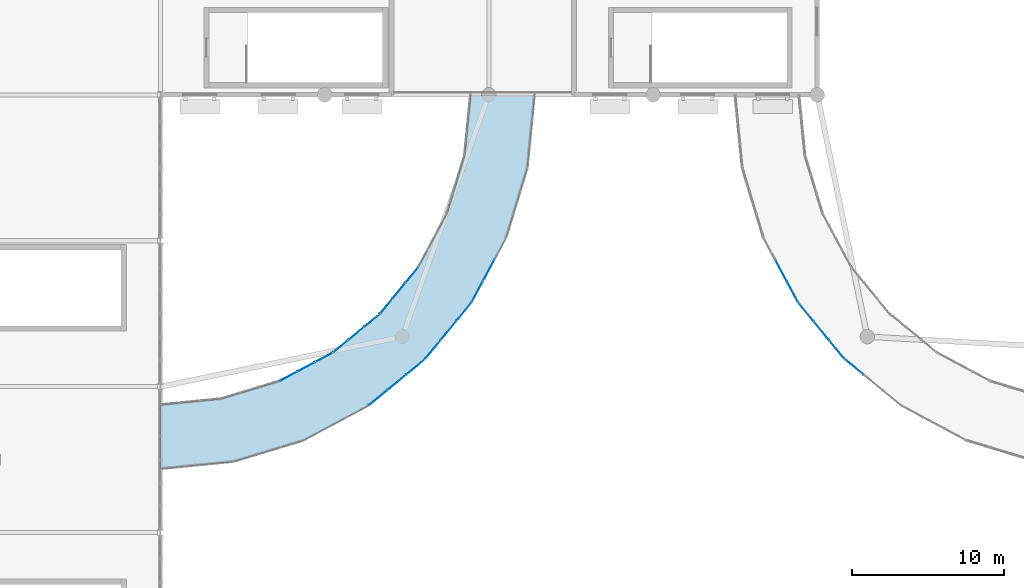
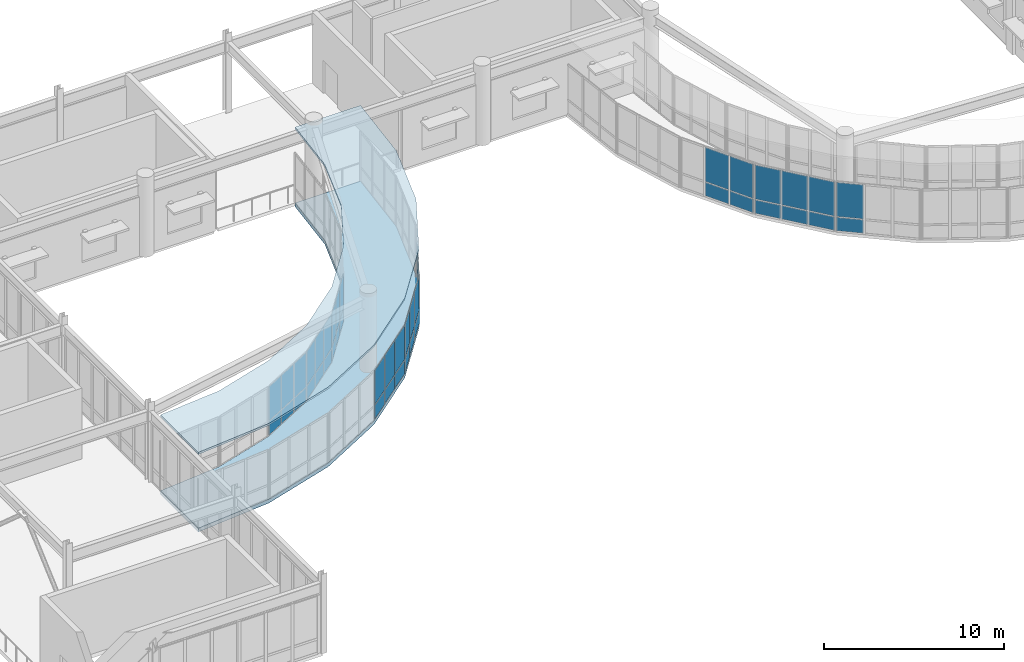
# One storey, part 36 of 68: 46 plates, 2 slabs, 10 elements without a shape of their own.
"""IFC4 building model written with IfcOpenShell, lengths in metres."""

import ifcopenshell
import ifcopenshell.guid

model = None  # the IFC model being written
_history = None  # IfcOwnerHistory: only IFC2X3 demands one
_inside = {}  # id of a spatial element -> (the spatial element, [elements in it])
_under = {}  # id of a project, library or spatial element -> (it, [spatial elements below it])
_declared = {}  # id of a project -> (the project, [libraries it declares])
_typed = {}  # id of a type object -> (the type object, [elements of that type])
_made_of = {}  # id of a material, layer set ... -> (it, [elements and type objects made of it])


def new_model(schema):
    """Start an empty IFC model of exactly this schema.

    Asked for "IFC4X3", IfcOpenShell would pick the latest addendum, in which some entities
    have other attributes; the version numbers below select the first issue.
    IFC2X3 requires an IfcOwnerHistory on every rooted entity: one is made here for all.
    """
    global model, _history
    if schema == "IFC4X3":
        model = ifcopenshell.file(schema_version=(4, 3, 0, 0))
    else:
        model = ifcopenshell.file(schema=schema)
    _inside.clear()
    _under.clear()
    _declared.clear()
    _typed.clear()
    _made_of.clear()
    _history = None
    if model.schema == "IFC2X3":
        org = make("IfcOrganization", Name="unknown")
        user = make(
            "IfcPersonAndOrganization",
            ThePerson=make("IfcPerson", FamilyName="unknown"),
            TheOrganization=org,
        )
        app = make(
            "IfcApplication",
            ApplicationDeveloper=org,
            Version="unknown",
            ApplicationFullName="unknown",
            ApplicationIdentifier="unknown",
        )
        _history = make(
            "IfcOwnerHistory",
            OwningUser=user,
            OwningApplication=app,
            ChangeAction="ADDED",
            CreationDate=0,
        )
    return model


def make(cls, **values):
    """One entity of the class cls with the attributes given. An attribute that is None is left unset."""
    return model.create_entity(
        cls, **{name: value for name, value in values.items() if value is not None}
    )


def rooted(cls, **values):
    """An entity with a GlobalId (a new one), such as an element, a storey or a relation."""
    return make(cls, GlobalId=ifcopenshell.guid.new(), OwnerHistory=_history, **values)


def si_unit(unit_type, name, prefix=None):
    """IfcSIUnit, for example si_unit("LENGTHUNIT", "METRE", prefix="MILLI")."""
    return make("IfcSIUnit", UnitType=unit_type, Prefix=prefix, Name=name)


def assignment(units):
    """IfcUnitAssignment: the units of a project."""
    return None if units is None else make("IfcUnitAssignment", Units=units)


def point(xyz):
    """IfcCartesianPoint."""
    return None if xyz is None else make("IfcCartesianPoint", Coordinates=xyz)


def direction(xyz):
    """IfcDirection."""
    return None if xyz is None else make("IfcDirection", DirectionRatios=xyz)


def frame(location, z_axis=None, x_axis=None):
    """IfcAxis2Placement3D, a coordinate frame: its origin and axes. An axis left out is left unset."""
    return make(
        "IfcAxis2Placement3D",
        Location=point(location),
        Axis=direction(z_axis),
        RefDirection=direction(x_axis),
    )


def frame_2d(location, x_axis=None):
    """IfcAxis2Placement2D, a coordinate frame in the plane: its origin and x axis."""
    return make(
        "IfcAxis2Placement2D", Location=point(location), RefDirection=direction(x_axis)
    )


def origin():
    """The frame at (0, 0, 0) with its axes left unset."""
    return frame((0.0, 0.0, 0.0))


def origin_2d():
    """The frame at (0, 0) in the plane with its x axis left unset."""
    return frame_2d((0.0, 0.0))


def place(relative_to, where):
    """IfcLocalPlacement: puts the frame where relative to a parent placement (None: the world)."""
    return make(
        "IfcLocalPlacement", PlacementRelTo=relative_to, RelativePlacement=where
    )


def context(
    kind, dimensions, precision=None, world=None, true_north=None, identifier=None
):
    """IfcGeometricRepresentationContext, for example the 3D "Model" context."""
    return make(
        "IfcGeometricRepresentationContext",
        ContextIdentifier=identifier,
        ContextType=kind,
        CoordinateSpaceDimension=dimensions,
        Precision=precision,
        WorldCoordinateSystem=world,
        TrueNorth=true_north,
    )


def subcontext(parent, identifier, kind, view, scale=None):
    """IfcGeometricRepresentationSubContext, for example "Body" below "Model"."""
    return make(
        "IfcGeometricRepresentationSubContext",
        ContextIdentifier=identifier,
        ContextType=kind,
        ParentContext=parent,
        TargetScale=scale,
        TargetView=view,
    )


def project(units=None, contexts=None):
    """IfcProject with its units and contexts."""
    return rooted(
        "IfcProject",
        Name="project",
        RepresentationContexts=contexts,
        UnitsInContext=assignment(units),
    )


def spatial(cls, under=None, at=None, **own):
    """A site, building, storey or space (cls), placed at a placement, below another one or the project."""
    s = rooted(cls, ObjectPlacement=at, **own)
    if under is not None:
        _under.setdefault(under.id(), (under, []))[1].append(s)
    return s


def polyline(points):
    """IfcPolyline through the points."""
    return make("IfcPolyline", Points=[point(p) for p in points])


def profile(cls, at=None, kind="AREA", **sizes):
    """A parametric profile (cls). Its sizes go by their IFC names, for example OverallWidth=200.0."""
    return make(cls, ProfileType=kind, Position=at, **sizes)


def rectangle(**sizes):
    """IfcRectangleProfileDef."""
    return profile("IfcRectangleProfileDef", **sizes)


def outline(outer, holes=None, kind="AREA"):
    """IfcArbitraryClosedProfileDef: a profile drawn as a closed curve; with holes, ...WithVoids."""
    if holes is None:
        return make("IfcArbitraryClosedProfileDef", ProfileType=kind, OuterCurve=outer)
    return make(
        "IfcArbitraryProfileDefWithVoids",
        ProfileType=kind,
        OuterCurve=outer,
        InnerCurves=holes,
    )


def extrude(swept, where, along, depth):
    """IfcExtrudedAreaSolid: the profile swept, set in the frame where, extruded along a direction by depth."""
    return make(
        "IfcExtrudedAreaSolid",
        SweptArea=swept,
        Position=where,
        ExtrudedDirection=direction(along),
        Depth=depth,
    )


def shape(context_of_items, identifier, shape_type, items):
    """IfcShapeRepresentation: the items that make up one representation, for example the "Body"."""
    return make(
        "IfcShapeRepresentation",
        ContextOfItems=context_of_items,
        RepresentationIdentifier=identifier,
        RepresentationType=shape_type,
        Items=items,
    )


def material(Name=None, Category=None):
    """IfcMaterial."""
    return make("IfcMaterial", Name=Name, Category=Category)


def layer(
    of_material, thickness, ventilated=None, Name=None, Category=None, Priority=None
):
    """IfcMaterialLayer: one layer of a wall or slab, of a material (None: an air gap)."""
    return make(
        "IfcMaterialLayer",
        Material=of_material,
        LayerThickness=thickness,
        IsVentilated=ventilated,
        Name=Name,
        Category=Category,
        Priority=Priority,
    )


def layer_set(layers, Name=None):
    """IfcMaterialLayerSet."""
    return make("IfcMaterialLayerSet", MaterialLayers=layers, LayerSetName=Name)


def made_of(thing, what):
    """Note that an element or type object is made of a material, layer set ...; save() writes the relation."""
    if what is not None:
        _made_of.setdefault(what.id(), (what, []))[1].append(thing)
    return thing


def type_object(cls, material=None, **own):
    """A type object (cls), such as IfcWallType, which elements share."""
    return made_of(rooted(cls, **own), material)


def element(
    cls,
    number,
    at=None,
    inside=None,
    cuts=None,
    type_object=None,
    material=None,
    context=None,
    identifier="Body",
    shape_type=None,
    held_by="IfcProductDefinitionShape",
    body=None,
    shapes=None,
    **own,
):
    """One element of the class cls, such as IfcWall. Its Tag is "e" and its number.

    at: its placement. inside: the storey or other place that contains it. cuts: it is an
    opening in that element (IfcRelVoidsElement). A single representation is given by context,
    identifier, shape_type and body (its items); several are given by shapes. held_by: the class
    of the entity that holds the representations. save() writes the other relations.
    """
    e = rooted(cls, Tag="e%d" % number, ObjectPlacement=at, **own)
    if body is not None:
        shapes = [shape(context, identifier, shape_type, body)]
    if shapes is not None:
        e.Representation = make(held_by, Representations=shapes)
    if inside is not None:
        _inside.setdefault(inside.id(), (inside, []))[1].append(e)
    if cuts is not None:
        rooted(
            "IfcRelVoidsElement", RelatingBuildingElement=cuts, RelatedOpeningElement=e
        )
    if type_object is not None:
        _typed.setdefault(type_object.id(), (type_object, []))[1].append(e)
    return made_of(e, material)


def aggregate(whole, parts):
    """IfcRelAggregates: a whole, such as a stair, and the parts it consists of."""
    return rooted("IfcRelAggregates", RelatingObject=whole, RelatedObjects=parts)


def save(model, path):
    """Write the relations noted so far, then the file.

    IfcRelAggregates (storeys below a building ...), IfcRelContainedInSpatialStructure (elements
    in a storey), IfcRelDefinesByType, IfcRelAssociatesMaterial and IfcRelDeclares: one each for
    every whole, place, type object, material and project.
    """
    for whole, parts in _under.values():
        aggregate(whole, parts)
    for where, things in _inside.values():
        rooted(
            "IfcRelContainedInSpatialStructure",
            RelatedElements=things,
            RelatingStructure=where,
        )
    for kind, things in _typed.values():
        rooted("IfcRelDefinesByType", RelatedObjects=things, RelatingType=kind)
    for what, things in _made_of.values():
        rooted("IfcRelAssociatesMaterial", RelatedObjects=things, RelatingMaterial=what)
    for by, libraries in _declared.values():
        rooted("IfcRelDeclares", RelatingContext=by, RelatedDefinitions=libraries)
    model.write(path)


model = new_model("IFC4")

# Units and contexts
model_context = context("Model", 3, precision=1e-05, world=origin(), true_north=direction((0.0, 1.0)))
body_context = subcontext(model_context, "Body", "Model", "MODEL_VIEW")
ifc_project = project(units=[si_unit("LENGTHUNIT", "METRE"), si_unit("AREAUNIT", "SQUARE_METRE"), si_unit("VOLUMEUNIT", "CUBIC_METRE"), si_unit("PLANEANGLEUNIT", "RADIAN"), si_unit("MASSUNIT", "GRAM", prefix="KILO")], contexts=[model_context])

# Site, building, storey
site_placement = place(None, origin())
site = spatial("IfcSite", under=ifc_project, at=site_placement, CompositionType="ELEMENT")
building_placement = place(site_placement, origin())
building = spatial("IfcBuilding", under=site, at=building_placement, Name="Veldera Park Congress Hotel", CompositionType="ELEMENT")
storey_placement = place(building_placement, frame((0.0, 0.0, 10.800048828125)))
storey = spatial("IfcBuildingStorey", under=building, at=storey_placement, Name="L02", CompositionType="ELEMENT", Elevation=10.800048828125)

# Curtain wall, plates
ifc_material_1 = material(Name="Low-E Triple Insulating Glass Unit (SHGC 0.22)", Category="glass")
curtain_wall_type = type_object("IfcCurtainWallType", Name="CW-BRG", PredefinedType="NOTDEFINED", material=ifc_material_1)
curtain_wall_1_placement = place(storey_placement, origin())
curtain_wall_1 = element("IfcCurtainWall", 1, at=curtain_wall_1_placement, inside=storey, type_object=curtain_wall_type, Name="L02 Curtain Wall CW3-BRGW-L02-A03", PredefinedType="NOTDEFINED")
ifc_layer_1 = layer(ifc_material_1, 0.028076171875)
ifc_layer_set_1 = layer_set([ifc_layer_1], Name="Low-E Triple Insulating Glass Unit (SHGC 0.22)")
plate_type = type_object("IfcPlateType", Name="CWP-IGU28", PredefinedType="CURTAIN_PANEL", material=ifc_layer_set_1)
plate_1_placement = place(storey_placement, frame((12.699951171875, -2.53466796875, 0.06005859375), z_axis=(0.0, 0.0, 1.0), x_axis=(0.773002968666, 0.634402404183, 0.0)))
plate_1 = element("IfcPlate", 2, at=plate_1_placement, type_object=plate_type, Name="CW-BRG panel 1.1", PredefinedType="CURTAIN_PANEL", context=body_context, shape_type="SweptSolid", body=[
    extrude(rectangle(XDim=1.517578125, YDim=0.028076171875, at=origin_2d()), origin(), (0.0, 0.0, 1.0), 0.909912109375),
])
plate_2_placement = place(storey_placement, frame((12.699951171875, -2.53466796875, 1.030029296875), z_axis=(0.0, 0.0, 1.0), x_axis=(0.773002968666, 0.634402404183, 0.0)))
plate_2 = element("IfcPlate", 3, at=plate_2_placement, type_object=plate_type, Name="CW-BRG panel 1.2", PredefinedType="CURTAIN_PANEL", context=body_context, shape_type="SweptSolid", body=[
    extrude(rectangle(XDim=1.517578125, YDim=0.028076171875, at=origin_2d()), origin(), (0.0, 0.0, 1.0), 2.31005859375),
])
plate_3_placement = place(storey_placement, frame((13.930908203125, -1.5244140625, 0.06005859375), z_axis=(0.0, 0.0, 1.0), x_axis=(0.773002968666, 0.634402404183, 0.0)))
plate_3 = element("IfcPlate", 4, at=plate_3_placement, type_object=plate_type, Name="CW-BRG panel 2.1", PredefinedType="CURTAIN_PANEL", context=body_context, shape_type="SweptSolid", body=[
    extrude(rectangle(XDim=1.547607421875, YDim=0.028076171875, at=origin_2d()), origin(), (0.0, 0.0, 1.0), 0.909912109375),
])
plate_4_placement = place(storey_placement, frame((13.930908203125, -1.5244140625, 1.030029296875), z_axis=(0.0, 0.0, 1.0), x_axis=(0.773002968666, 0.634402404183, 0.0)))
plate_4 = element("IfcPlate", 5, at=plate_4_placement, type_object=plate_type, Name="CW-BRG panel 2.2", PredefinedType="CURTAIN_PANEL", context=body_context, shape_type="SweptSolid", body=[
    extrude(rectangle(XDim=1.547607421875, YDim=0.028076171875, at=origin_2d()), origin(), (0.0, 0.0, 1.0), 2.31005859375),
])
plate_5_placement = place(storey_placement, frame((15.161865234375, -0.51416015625, 0.06005859375), z_axis=(0.0, 0.0, 1.0), x_axis=(0.773002968666, 0.634402404183, 0.0)))
plate_5 = element("IfcPlate", 6, at=plate_5_placement, type_object=plate_type, Name="CW-BRG panel 3.1", PredefinedType="CURTAIN_PANEL", context=body_context, shape_type="SweptSolid", body=[
    extrude(rectangle(XDim=1.517578125, YDim=0.028076171875, at=origin_2d()), origin(), (0.0, 0.0, 1.0), 0.909912109375),
])
plate_6_placement = place(storey_placement, frame((15.161865234375, -0.51416015625, 1.030029296875), z_axis=(0.0, 0.0, 1.0), x_axis=(0.773002968666, 0.634402404183, 0.0)))
plate_6 = element("IfcPlate", 7, at=plate_6_placement, type_object=plate_type, Name="CW-BRG panel 3.2", PredefinedType="CURTAIN_PANEL", context=body_context, shape_type="SweptSolid", body=[
    extrude(rectangle(XDim=1.517578125, YDim=0.028076171875, at=origin_2d()), origin(), (0.0, 0.0, 1.0), 2.31005859375),
])
aggregate(curtain_wall_1, [plate_1, plate_2, plate_3, plate_4, plate_5, plate_6])

curtain_wall_2_placement = place(storey_placement, origin())
curtain_wall_2 = element("IfcCurtainWall", 8, at=curtain_wall_2_placement, inside=storey, type_object=curtain_wall_type, Name="L02 Curtain Wall CW3-BRGW-L02-A04", PredefinedType="NOTDEFINED")
plate_7_placement = place(storey_placement, frame((16.314208984375, 0.63818359375, 0.06005859375), z_axis=(0.0, 0.0, 1.0), x_axis=(0.634402404183, 0.773002968666, 0.0)))
plate_7 = element("IfcPlate", 9, at=plate_7_placement, type_object=plate_type, Name="CW-BRG panel 1.1", PredefinedType="CURTAIN_PANEL", context=body_context, shape_type="SweptSolid", body=[
    extrude(rectangle(XDim=1.517578125, YDim=0.028076171875, at=origin_2d()), origin(), (0.0, 0.0, 1.0), 0.909912109375),
])
plate_8_placement = place(storey_placement, frame((16.314208984375, 0.63818359375, 1.030029296875), z_axis=(0.0, 0.0, 1.0), x_axis=(0.634402404183, 0.773002968666, 0.0)))
plate_8 = element("IfcPlate", 10, at=plate_8_placement, type_object=plate_type, Name="CW-BRG panel 1.2", PredefinedType="CURTAIN_PANEL", context=body_context, shape_type="SweptSolid", body=[
    extrude(rectangle(XDim=1.517578125, YDim=0.028076171875, at=origin_2d()), origin(), (0.0, 0.0, 1.0), 2.31005859375),
])
plate_9_placement = place(storey_placement, frame((17.324462890625, 1.869140625, 0.06005859375), z_axis=(0.0, 0.0, 1.0), x_axis=(0.634402404183, 0.773002968666, 0.0)))
plate_9 = element("IfcPlate", 11, at=plate_9_placement, type_object=plate_type, Name="CW-BRG panel 2.1", PredefinedType="CURTAIN_PANEL", context=body_context, shape_type="SweptSolid", body=[
    extrude(rectangle(XDim=1.547607421875, YDim=0.028076171875, at=origin_2d()), origin(), (0.0, 0.0, 1.0), 0.909912109375),
])
plate_10_placement = place(storey_placement, frame((17.324462890625, 1.869140625, 1.030029296875), z_axis=(0.0, 0.0, 1.0), x_axis=(0.634402404183, 0.773002968666, 0.0)))
plate_10 = element("IfcPlate", 12, at=plate_10_placement, type_object=plate_type, Name="CW-BRG panel 2.2", PredefinedType="CURTAIN_PANEL", context=body_context, shape_type="SweptSolid", body=[
    extrude(rectangle(XDim=1.547607421875, YDim=0.028076171875, at=origin_2d()), origin(), (0.0, 0.0, 1.0), 2.31005859375),
])
plate_11_placement = place(storey_placement, frame((18.334716796875, 3.10009765625, 0.06005859375), z_axis=(0.0, 0.0, 1.0), x_axis=(0.634402404183, 0.773002968666, 0.0)))
plate_11 = element("IfcPlate", 13, at=plate_11_placement, type_object=plate_type, Name="CW-BRG panel 3.1", PredefinedType="CURTAIN_PANEL", context=body_context, shape_type="SweptSolid", body=[
    extrude(rectangle(XDim=1.517578125, YDim=0.028076171875, at=origin_2d()), origin(), (0.0, 0.0, 1.0), 0.909912109375),
])
plate_12_placement = place(storey_placement, frame((18.334716796875, 3.10009765625, 1.030029296875), z_axis=(0.0, 0.0, 1.0), x_axis=(0.634402404183, 0.773002968666, 0.0)))
plate_12 = element("IfcPlate", 14, at=plate_12_placement, type_object=plate_type, Name="CW-BRG panel 3.2", PredefinedType="CURTAIN_PANEL", context=body_context, shape_type="SweptSolid", body=[
    extrude(rectangle(XDim=1.517578125, YDim=0.028076171875, at=origin_2d()), origin(), (0.0, 0.0, 1.0), 2.31005859375),
])
aggregate(curtain_wall_2, [plate_7, plate_8, plate_9, plate_10, plate_11, plate_12])

curtain_wall_3_placement = place(storey_placement, origin())
curtain_wall_3 = element("IfcCurtainWall", 15, at=curtain_wall_3_placement, inside=storey, type_object=curtain_wall_type, Name="L02 Curtain Wall CW3-BRGW-L02-A05", PredefinedType="NOTDEFINED")
plate_13_placement = place(storey_placement, frame((19.240234375, 4.455078125, 0.06005859375), z_axis=(0.0, 0.0, 1.0), x_axis=(0.471384501415, 0.881927804203, 0.0)))
plate_13 = element("IfcPlate", 16, at=plate_13_placement, type_object=plate_type, Name="CW-BRG panel 1.1", PredefinedType="CURTAIN_PANEL", context=body_context, shape_type="SweptSolid", body=[
    extrude(rectangle(XDim=1.517578125, YDim=0.028076171875, at=origin_2d()), origin(), (0.0, 0.0, 1.0), 0.909912109375),
])
plate_14_placement = place(storey_placement, frame((19.240234375, 4.455078125, 1.030029296875), z_axis=(0.0, 0.0, 1.0), x_axis=(0.471384501415, 0.881927804203, 0.0)))
plate_14 = element("IfcPlate", 17, at=plate_14_placement, type_object=plate_type, Name="CW-BRG panel 1.2", PredefinedType="CURTAIN_PANEL", context=body_context, shape_type="SweptSolid", body=[
    extrude(rectangle(XDim=1.517578125, YDim=0.028076171875, at=origin_2d()), origin(), (0.0, 0.0, 1.0), 2.31005859375),
])
plate_15_placement = place(storey_placement, frame((19.99072265625, 5.859619140625, 0.06005859375), z_axis=(0.0, 0.0, 1.0), x_axis=(0.471384501415, 0.881927804203, 0.0)))
plate_15 = element("IfcPlate", 18, at=plate_15_placement, type_object=plate_type, Name="CW-BRG panel 2.1", PredefinedType="CURTAIN_PANEL", context=body_context, shape_type="SweptSolid", body=[
    extrude(rectangle(XDim=1.54736328125, YDim=0.028076171875, at=origin_2d()), origin(), (0.0, 0.0, 1.0), 0.909912109375),
])
plate_16_placement = place(storey_placement, frame((19.99072265625, 5.859619140625, 1.030029296875), z_axis=(0.0, 0.0, 1.0), x_axis=(0.471384501415, 0.881927804203, 0.0)))
plate_16 = element("IfcPlate", 19, at=plate_16_placement, type_object=plate_type, Name="CW-BRG panel 2.2", PredefinedType="CURTAIN_PANEL", context=body_context, shape_type="SweptSolid", body=[
    extrude(rectangle(XDim=1.54736328125, YDim=0.028076171875, at=origin_2d()), origin(), (0.0, 0.0, 1.0), 2.31005859375),
])
aggregate(curtain_wall_3, [plate_13, plate_14, plate_15, plate_16])

curtain_wall_4_placement = place(storey_placement, origin())
curtain_wall_4 = element("IfcCurtainWall", 20, at=curtain_wall_4_placement, inside=storey, type_object=curtain_wall_type, Name="L02 Curtain Wall CW3-BRGW-L02-B12", PredefinedType="NOTDEFINED")
plate_17_placement = place(storey_placement, frame((14.9296875, 5.53955078125, 0.06005859375), z_axis=(0.0, 0.0, 1.0), x_axis=(-0.634386349036, -0.773016144823, 0.0)))
plate_17 = element("IfcPlate", 21, at=plate_17_placement, type_object=plate_type, Name="CW-BRG panel 1.1", PredefinedType="CURTAIN_PANEL", context=body_context, shape_type="SweptSolid", body=[
    extrude(rectangle(XDim=1.2431640625, YDim=0.028076171875, at=origin_2d()), origin(), (0.0, 0.0, 1.0), 0.909912109375),
])
plate_18_placement = place(storey_placement, frame((14.9296875, 5.53955078125, 1.030029296875), z_axis=(0.0, 0.0, 1.0), x_axis=(-0.634386349036, -0.773016144823, 0.0)))
plate_18 = element("IfcPlate", 22, at=plate_18_placement, type_object=plate_type, Name="CW-BRG panel 1.2", PredefinedType="CURTAIN_PANEL", context=body_context, shape_type="SweptSolid", body=[
    extrude(rectangle(XDim=1.2431640625, YDim=0.028076171875, at=origin_2d()), origin(), (0.0, 0.0, 1.0), 2.31005859375),
])
plate_19_placement = place(storey_placement, frame((14.093505859375, 4.520751953125, 0.06005859375), z_axis=(0.0, 0.0, 1.0), x_axis=(-0.634386349036, -0.773016144823, 0.0)))
plate_19 = element("IfcPlate", 23, at=plate_19_placement, type_object=plate_type, Name="CW-BRG panel 2.1", PredefinedType="CURTAIN_PANEL", context=body_context, shape_type="SweptSolid", body=[
    extrude(rectangle(XDim=1.27294921875, YDim=0.028076171875, at=origin_2d()), origin(), (0.0, 0.0, 1.0), 0.909912109375),
])
plate_20_placement = place(storey_placement, frame((14.093505859375, 4.520751953125, 1.030029296875), z_axis=(0.0, 0.0, 1.0), x_axis=(-0.634386349036, -0.773016144823, 0.0)))
plate_20 = element("IfcPlate", 24, at=plate_20_placement, type_object=plate_type, Name="CW-BRG panel 2.2", PredefinedType="CURTAIN_PANEL", context=body_context, shape_type="SweptSolid", body=[
    extrude(rectangle(XDim=1.27294921875, YDim=0.028076171875, at=origin_2d()), origin(), (0.0, 0.0, 1.0), 2.31005859375),
])
plate_21_placement = place(storey_placement, frame((13.25732421875, 3.501708984375, 0.06005859375), z_axis=(0.0, 0.0, 1.0), x_axis=(-0.634386349036, -0.773016144823, 0.0)))
plate_21 = element("IfcPlate", 25, at=plate_21_placement, type_object=plate_type, Name="CW-BRG panel 3.1", PredefinedType="CURTAIN_PANEL", context=body_context, shape_type="SweptSolid", body=[
    extrude(rectangle(XDim=1.2431640625, YDim=0.028076171875, at=origin_2d()), origin(), (0.0, 0.0, 1.0), 0.909912109375),
])
plate_22_placement = place(storey_placement, frame((13.25732421875, 3.501708984375, 1.030029296875), z_axis=(0.0, 0.0, 1.0), x_axis=(-0.634386349036, -0.773016144823, 0.0)))
plate_22 = element("IfcPlate", 26, at=plate_22_placement, type_object=plate_type, Name="CW-BRG panel 3.2", PredefinedType="CURTAIN_PANEL", context=body_context, shape_type="SweptSolid", body=[
    extrude(rectangle(XDim=1.2431640625, YDim=0.028076171875, at=origin_2d()), origin(), (0.0, 0.0, 1.0), 2.31005859375),
])
aggregate(curtain_wall_4, [plate_17, plate_18, plate_19, plate_20, plate_21, plate_22])

curtain_wall_5_placement = place(storey_placement, origin())
curtain_wall_5 = element("IfcCurtainWall", 27, at=curtain_wall_5_placement, inside=storey, type_object=curtain_wall_type, Name="L02 Curtain Wall CW3-BRGW-L02-B13", PredefinedType="NOTDEFINED")
plate_23_placement = place(storey_placement, frame((12.298095703125, 2.542724609375, 0.06005859375), z_axis=(0.0, 0.0, 1.0), x_axis=(-0.773016144823, -0.634386349036, 0.0)))
plate_23 = element("IfcPlate", 28, at=plate_23_placement, type_object=plate_type, Name="CW-BRG panel 1.1", PredefinedType="CURTAIN_PANEL", context=body_context, shape_type="SweptSolid", body=[
    extrude(rectangle(XDim=1.2431640625, YDim=0.028076171875, at=origin_2d()), origin(), (0.0, 0.0, 1.0), 0.909912109375),
])
plate_24_placement = place(storey_placement, frame((12.298095703125, 2.542724609375, 1.030029296875), z_axis=(0.0, 0.0, 1.0), x_axis=(-0.773016144823, -0.634386349036, 0.0)))
plate_24 = element("IfcPlate", 29, at=plate_24_placement, type_object=plate_type, Name="CW-BRG panel 1.2", PredefinedType="CURTAIN_PANEL", context=body_context, shape_type="SweptSolid", body=[
    extrude(rectangle(XDim=1.2431640625, YDim=0.028076171875, at=origin_2d()), origin(), (0.0, 0.0, 1.0), 2.31005859375),
])
plate_25_placement = place(storey_placement, frame((11.279296875, 1.70654296875, 0.06005859375), z_axis=(0.0, 0.0, 1.0), x_axis=(-0.773016144823, -0.634386349036, 0.0)))
plate_25 = element("IfcPlate", 30, at=plate_25_placement, type_object=plate_type, Name="CW-BRG panel 2.1", PredefinedType="CURTAIN_PANEL", context=body_context, shape_type="SweptSolid", body=[
    extrude(rectangle(XDim=1.27294921875, YDim=0.028076171875, at=origin_2d()), origin(), (0.0, 0.0, 1.0), 0.909912109375),
])
plate_26_placement = place(storey_placement, frame((11.279296875, 1.70654296875, 1.030029296875), z_axis=(0.0, 0.0, 1.0), x_axis=(-0.773016144823, -0.634386349036, 0.0)))
plate_26 = element("IfcPlate", 31, at=plate_26_placement, type_object=plate_type, Name="CW-BRG panel 2.2", PredefinedType="CURTAIN_PANEL", context=body_context, shape_type="SweptSolid", body=[
    extrude(rectangle(XDim=1.27294921875, YDim=0.028076171875, at=origin_2d()), origin(), (0.0, 0.0, 1.0), 2.31005859375),
])
plate_27_placement = place(storey_placement, frame((10.260498046875, 0.870361328125, 0.06005859375), z_axis=(0.0, 0.0, 1.0), x_axis=(-0.773016144823, -0.634386349036, 0.0)))
plate_27 = element("IfcPlate", 32, at=plate_27_placement, type_object=plate_type, Name="CW-BRG panel 3.1", PredefinedType="CURTAIN_PANEL", context=body_context, shape_type="SweptSolid", body=[
    extrude(rectangle(XDim=1.2431640625, YDim=0.028076171875, at=origin_2d()), origin(), (0.0, 0.0, 1.0), 0.909912109375),
])
plate_28_placement = place(storey_placement, frame((10.260498046875, 0.870361328125, 1.030029296875), z_axis=(0.0, 0.0, 1.0), x_axis=(-0.773016144823, -0.634386349036, 0.0)))
plate_28 = element("IfcPlate", 33, at=plate_28_placement, type_object=plate_type, Name="CW-BRG panel 3.2", PredefinedType="CURTAIN_PANEL", context=body_context, shape_type="SweptSolid", body=[
    extrude(rectangle(XDim=1.2431640625, YDim=0.028076171875, at=origin_2d()), origin(), (0.0, 0.0, 1.0), 2.31005859375),
])
aggregate(curtain_wall_5, [plate_23, plate_24, plate_25, plate_26, plate_27, plate_28])

curtain_wall_6_placement = place(storey_placement, origin())
curtain_wall_6 = element("IfcCurtainWall", 34, at=curtain_wall_6_placement, inside=storey, type_object=curtain_wall_type, Name="L02 Curtain Wall CW3-BRGW-L02-B14", PredefinedType="NOTDEFINED")
plate_29_placement = place(storey_placement, frame((9.132568359375, 0.11669921875, 0.06005859375), z_axis=(0.0, 0.0, 1.0), x_axis=(-0.881928263239, -0.471383642588, 0.0)))
plate_29 = element("IfcPlate", 35, at=plate_29_placement, type_object=plate_type, Name="CW-BRG panel 1.1", PredefinedType="CURTAIN_PANEL", context=body_context, shape_type="SweptSolid", body=[
    extrude(rectangle(XDim=1.242919921875, YDim=0.028076171875, at=origin_2d()), origin(), (0.0, 0.0, 1.0), 0.909912109375),
])
plate_30_placement = place(storey_placement, frame((9.132568359375, 0.11669921875, 1.030029296875), z_axis=(0.0, 0.0, 1.0), x_axis=(-0.881928263239, -0.471383642588, 0.0)))
plate_30 = element("IfcPlate", 36, at=plate_30_placement, type_object=plate_type, Name="CW-BRG panel 1.2", PredefinedType="CURTAIN_PANEL", context=body_context, shape_type="SweptSolid", body=[
    extrude(rectangle(XDim=1.242919921875, YDim=0.028076171875, at=origin_2d()), origin(), (0.0, 0.0, 1.0), 2.31005859375),
])
plate_31_placement = place(storey_placement, frame((7.97021484375, -0.504638671875, 0.06005859375), z_axis=(0.0, 0.0, 1.0), x_axis=(-0.881928263239, -0.471383642588, 0.0)))
plate_31 = element("IfcPlate", 37, at=plate_31_placement, type_object=plate_type, Name="CW-BRG panel 2.1", PredefinedType="CURTAIN_PANEL", context=body_context, shape_type="SweptSolid", body=[
    extrude(rectangle(XDim=1.27294921875, YDim=0.028076171875, at=origin_2d()), origin(), (0.0, 0.0, 1.0), 0.909912109375),
])
plate_32_placement = place(storey_placement, frame((7.97021484375, -0.504638671875, 1.030029296875), z_axis=(0.0, 0.0, 1.0), x_axis=(-0.881928263239, -0.471383642588, 0.0)))
plate_32 = element("IfcPlate", 38, at=plate_32_placement, type_object=plate_type, Name="CW-BRG panel 2.2", PredefinedType="CURTAIN_PANEL", context=body_context, shape_type="SweptSolid", body=[
    extrude(rectangle(XDim=1.27294921875, YDim=0.028076171875, at=origin_2d()), origin(), (0.0, 0.0, 1.0), 2.31005859375),
])
plate_33_placement = place(storey_placement, frame((6.807861328125, -1.125732421875, 0.06005859375), z_axis=(0.0, 0.0, 1.0), x_axis=(-0.881928263239, -0.471383642588, 0.0)))
plate_33 = element("IfcPlate", 39, at=plate_33_placement, type_object=plate_type, Name="CW-BRG panel 3.1", PredefinedType="CURTAIN_PANEL", context=body_context, shape_type="SweptSolid", body=[
    extrude(rectangle(XDim=1.242919921875, YDim=0.028076171875, at=origin_2d()), origin(), (0.0, 0.0, 1.0), 0.909912109375),
])
plate_34_placement = place(storey_placement, frame((6.807861328125, -1.125732421875, 1.030029296875), z_axis=(0.0, 0.0, 1.0), x_axis=(-0.881928263239, -0.471383642588, 0.0)))
plate_34 = element("IfcPlate", 40, at=plate_34_placement, type_object=plate_type, Name="CW-BRG panel 3.2", PredefinedType="CURTAIN_PANEL", context=body_context, shape_type="SweptSolid", body=[
    extrude(rectangle(XDim=1.242919921875, YDim=0.028076171875, at=origin_2d()), origin(), (0.0, 0.0, 1.0), 2.31005859375),
])
aggregate(curtain_wall_6, [plate_29, plate_30, plate_31, plate_32, plate_33, plate_34])

curtain_wall_7_placement = place(storey_placement, origin())
curtain_wall_7 = element("IfcCurtainWall", 41, at=curtain_wall_7_placement, inside=storey, type_object=curtain_wall_type, Name="L02 Curtain Wall CW3-BRGE-L02-A02", PredefinedType="NOTDEFINED")
plate_35_placement = place(storey_placement, frame((39.209228515625, 5.859619140625, 0.06005859375), z_axis=(0.0, 0.0, 1.0), x_axis=(0.471384501415, -0.881927804203, 0.0)))
plate_35 = element("IfcPlate", 42, at=plate_35_placement, type_object=plate_type, Name="CW-BRG panel 2.1", PredefinedType="CURTAIN_PANEL", context=body_context, shape_type="SweptSolid", body=[
    extrude(rectangle(XDim=1.54736328125, YDim=0.028076171875, at=origin_2d()), origin(), (0.0, 0.0, 1.0), 0.909912109375),
])
plate_36_placement = place(storey_placement, frame((39.209228515625, 5.859619140625, 1.030029296875), z_axis=(0.0, 0.0, 1.0), x_axis=(0.471384501415, -0.881927804203, 0.0)))
plate_36 = element("IfcPlate", 43, at=plate_36_placement, type_object=plate_type, Name="CW-BRG panel 2.2", PredefinedType="CURTAIN_PANEL", context=body_context, shape_type="SweptSolid", body=[
    extrude(rectangle(XDim=1.54736328125, YDim=0.028076171875, at=origin_2d()), origin(), (0.0, 0.0, 1.0), 2.31005859375),
])
plate_37_placement = place(storey_placement, frame((39.9599609375, 4.455078125, 0.06005859375), z_axis=(0.0, 0.0, 1.0), x_axis=(0.471384501415, -0.881927804203, 0.0)))
plate_37 = element("IfcPlate", 44, at=plate_37_placement, type_object=plate_type, Name="CW-BRG panel 3.1", PredefinedType="CURTAIN_PANEL", context=body_context, shape_type="SweptSolid", body=[
    extrude(rectangle(XDim=1.517578125, YDim=0.028076171875, at=origin_2d()), origin(), (0.0, 0.0, 1.0), 0.909912109375),
])
plate_38_placement = place(storey_placement, frame((39.9599609375, 4.455078125, 1.030029296875), z_axis=(0.0, 0.0, 1.0), x_axis=(0.471384501415, -0.881927804203, 0.0)))
plate_38 = element("IfcPlate", 45, at=plate_38_placement, type_object=plate_type, Name="CW-BRG panel 3.2", PredefinedType="CURTAIN_PANEL", context=body_context, shape_type="SweptSolid", body=[
    extrude(rectangle(XDim=1.517578125, YDim=0.028076171875, at=origin_2d()), origin(), (0.0, 0.0, 1.0), 2.31005859375),
])
aggregate(curtain_wall_7, [plate_35, plate_36, plate_37, plate_38])

curtain_wall_8_placement = place(storey_placement, origin())
curtain_wall_8 = element("IfcCurtainWall", 46, at=curtain_wall_8_placement, inside=storey, type_object=curtain_wall_type, Name="L02 Curtain Wall CW3-BRGE-L02-A03", PredefinedType="NOTDEFINED")
plate_39_placement = place(storey_placement, frame((40.865234375, 3.10009765625, 0.06005859375), z_axis=(0.0, 0.0, 1.0), x_axis=(0.634402404183, -0.773002968666, 0.0)))
plate_39 = element("IfcPlate", 47, at=plate_39_placement, type_object=plate_type, Name="CW-BRG panel 1.1", PredefinedType="CURTAIN_PANEL", context=body_context, shape_type="SweptSolid", body=[
    extrude(rectangle(XDim=1.517578125, YDim=0.028076171875, at=origin_2d()), origin(), (0.0, 0.0, 1.0), 0.909912109375),
])
plate_40_placement = place(storey_placement, frame((40.865234375, 3.10009765625, 1.030029296875), z_axis=(0.0, 0.0, 1.0), x_axis=(0.634402404183, -0.773002968666, 0.0)))
plate_40 = element("IfcPlate", 48, at=plate_40_placement, type_object=plate_type, Name="CW-BRG panel 1.2", PredefinedType="CURTAIN_PANEL", context=body_context, shape_type="SweptSolid", body=[
    extrude(rectangle(XDim=1.517578125, YDim=0.028076171875, at=origin_2d()), origin(), (0.0, 0.0, 1.0), 2.31005859375),
])
plate_41_placement = place(storey_placement, frame((41.87548828125, 1.869140625, 0.06005859375), z_axis=(0.0, 0.0, 1.0), x_axis=(0.634402404183, -0.773002968666, 0.0)))
plate_41 = element("IfcPlate", 49, at=plate_41_placement, type_object=plate_type, Name="CW-BRG panel 2.1", PredefinedType="CURTAIN_PANEL", context=body_context, shape_type="SweptSolid", body=[
    extrude(rectangle(XDim=1.547607421875, YDim=0.028076171875, at=origin_2d()), origin(), (0.0, 0.0, 1.0), 0.909912109375),
])
plate_42_placement = place(storey_placement, frame((41.87548828125, 1.869140625, 1.030029296875), z_axis=(0.0, 0.0, 1.0), x_axis=(0.634402404183, -0.773002968666, 0.0)))
plate_42 = element("IfcPlate", 50, at=plate_42_placement, type_object=plate_type, Name="CW-BRG panel 2.2", PredefinedType="CURTAIN_PANEL", context=body_context, shape_type="SweptSolid", body=[
    extrude(rectangle(XDim=1.547607421875, YDim=0.028076171875, at=origin_2d()), origin(), (0.0, 0.0, 1.0), 2.31005859375),
])
plate_43_placement = place(storey_placement, frame((42.8857421875, 0.63818359375, 0.06005859375), z_axis=(0.0, 0.0, 1.0), x_axis=(0.634402404183, -0.773002968666, 0.0)))
plate_43 = element("IfcPlate", 51, at=plate_43_placement, type_object=plate_type, Name="CW-BRG panel 3.1", PredefinedType="CURTAIN_PANEL", context=body_context, shape_type="SweptSolid", body=[
    extrude(rectangle(XDim=1.517578125, YDim=0.028076171875, at=origin_2d()), origin(), (0.0, 0.0, 1.0), 0.909912109375),
])
plate_44_placement = place(storey_placement, frame((42.8857421875, 0.63818359375, 1.030029296875), z_axis=(0.0, 0.0, 1.0), x_axis=(0.634402404183, -0.773002968666, 0.0)))
plate_44 = element("IfcPlate", 52, at=plate_44_placement, type_object=plate_type, Name="CW-BRG panel 3.2", PredefinedType="CURTAIN_PANEL", context=body_context, shape_type="SweptSolid", body=[
    extrude(rectangle(XDim=1.517578125, YDim=0.028076171875, at=origin_2d()), origin(), (0.0, 0.0, 1.0), 2.31005859375),
])
aggregate(curtain_wall_8, [plate_39, plate_40, plate_41, plate_42, plate_43, plate_44])

curtain_wall_9_placement = place(storey_placement, origin())
curtain_wall_9 = element("IfcCurtainWall", 53, at=curtain_wall_9_placement, inside=storey, type_object=curtain_wall_type, Name="L02 Curtain Wall CW3-BRGE-L02-A04", PredefinedType="NOTDEFINED")
plate_45_placement = place(storey_placement, frame((44.0380859375, -0.51416015625, 0.06005859375), z_axis=(0.0, 0.0, 1.0), x_axis=(0.773002968666, -0.634402404183, 0.0)))
plate_45 = element("IfcPlate", 54, at=plate_45_placement, type_object=plate_type, Name="CW-BRG panel 1.1", PredefinedType="CURTAIN_PANEL", context=body_context, shape_type="SweptSolid", body=[
    extrude(rectangle(XDim=1.517578125, YDim=0.028076171875, at=origin_2d()), origin(), (0.0, 0.0, 1.0), 0.909912109375),
])
plate_46_placement = place(storey_placement, frame((44.0380859375, -0.51416015625, 1.030029296875), z_axis=(0.0, 0.0, 1.0), x_axis=(0.773002968666, -0.634402404183, 0.0)))
plate_46 = element("IfcPlate", 55, at=plate_46_placement, type_object=plate_type, Name="CW-BRG panel 1.2", PredefinedType="CURTAIN_PANEL", context=body_context, shape_type="SweptSolid", body=[
    extrude(rectangle(XDim=1.517578125, YDim=0.028076171875, at=origin_2d()), origin(), (0.0, 0.0, 1.0), 2.31005859375),
])
aggregate(curtain_wall_9, [plate_45, plate_46])

# Roof, slab
ifc_material_2 = material(Name="Cross-laminated timber CLT V2M1.1", Category="wood")
roof_type = type_object("IfcRoofType", Name="ROOF-SHD", PredefinedType="SHED_ROOF", material=ifc_material_2)
roof_placement = place(storey_placement, origin())
roof = element("IfcRoof", 56, at=roof_placement, inside=storey, type_object=roof_type, Name="West Glazed Link Bridge Canopy Roof", PredefinedType="SHED_ROOF")
ifc_layer_2 = layer(ifc_material_2, 0.139892578125)
ifc_layer_set_2 = layer_set([ifc_layer_2], Name="Cross-laminated timber CLT V2M1.1")
slab_type_1 = type_object("IfcSlabType", Name="RF-CAN140", PredefinedType="ROOF", material=ifc_layer_set_2)
slab_1_placement = place(storey_placement, frame((0.0, 0.0, 5.0)))
slab_1 = element("IfcSlab", 57, at=slab_1_placement, type_object=slab_type_1, Name="West Link Bridge Roof Deck", PredefinedType="ROOF", context=body_context, shape_type="SweptSolid", body=[
    extrude(outline(polyline([(-1.60009765625, -7.199951171875), (3.19921875, -6.727294921875), (7.81396484375, -5.327392578125), (12.06689453125, -3.05419921875), (15.794921875, 0.005126953125), (18.854248046875, 3.73291015625), (21.12744140625, 7.986083984375), (22.52734375, 12.600830078125), (23.0, 17.39990234375), (18.800048828125, 17.39990234375), (18.407958984375, 13.420166015625), (17.2470703125, 9.59326171875), (15.362060546875, 6.06640625), (12.824951171875, 2.97509765625), (9.733642578125, 0.43798828125), (6.206787109375, -1.447021484375), (2.3798828125, -2.60791015625), (-1.60009765625, -3.0), (-1.60009765625, -7.199951171875)])), origin(), (0.0, 0.0, 1.0), 0.139892578125),
])
aggregate(roof, [slab_1])

# Slab
ifc_material_3 = material(Name="Concrete f'c 40 MPa (5,800 psi)", Category="concrete")
ifc_layer_3 = layer(ifc_material_3, 0.2548828125)
ifc_layer_set_3 = layer_set([ifc_layer_3], Name="Concrete f'c 40 MPa (5,800 psi)")
slab_type_2 = type_object("IfcSlabType", Name="SLB-BRG255", PredefinedType="FLOOR", material=ifc_layer_set_3)
slab_2_placement = place(storey_placement, frame((0.0, 0.0, -0.255126953125)))
element("IfcSlab", 58, at=slab_2_placement, inside=storey, type_object=slab_type_2, Name="L02 West Glazed Link Bridge Deck SLB-L02-BRGW", PredefinedType="FLOOR", context=body_context, shape_type="SweptSolid", body=[
    extrude(outline(polyline([(-1.60009765625, -7.199951171875), (3.19921875, -6.727294921875), (7.81396484375, -5.327392578125), (12.06689453125, -3.05419921875), (15.794921875, 0.005126953125), (18.854248046875, 3.73291015625), (21.12744140625, 7.986083984375), (22.52734375, 12.600830078125), (23.0, 17.39990234375), (18.800048828125, 17.39990234375), (18.407958984375, 13.420166015625), (17.2470703125, 9.59326171875), (15.362060546875, 6.06640625), (12.824951171875, 2.97509765625), (9.733642578125, 0.43798828125), (6.206787109375, -1.447021484375), (2.3798828125, -2.60791015625), (-1.60009765625, -3.0), (-1.60009765625, -7.199951171875)])), origin(), (0.0, 0.0, 1.0), 0.255126953125),
])

save(model, "model.ifc")
